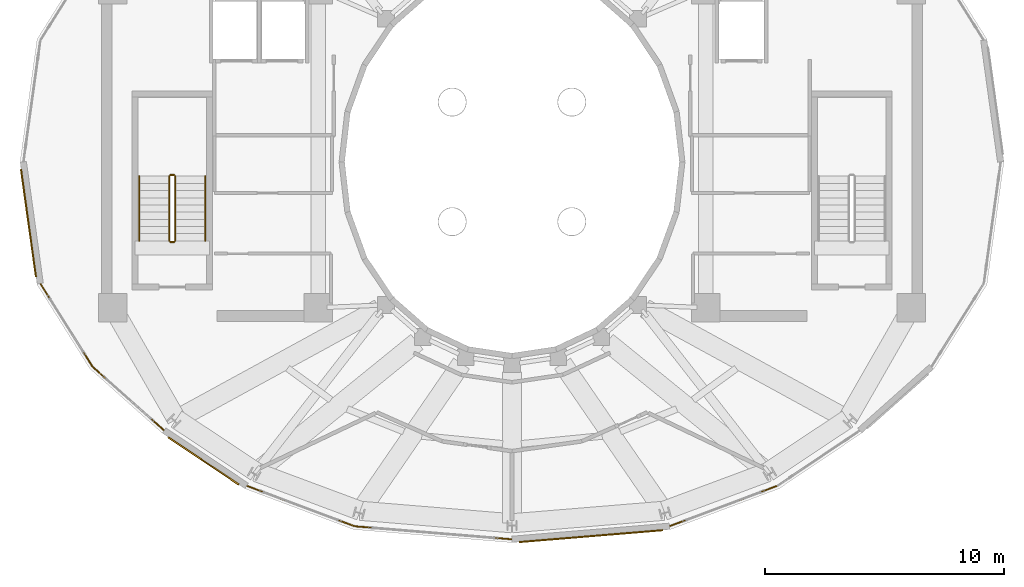
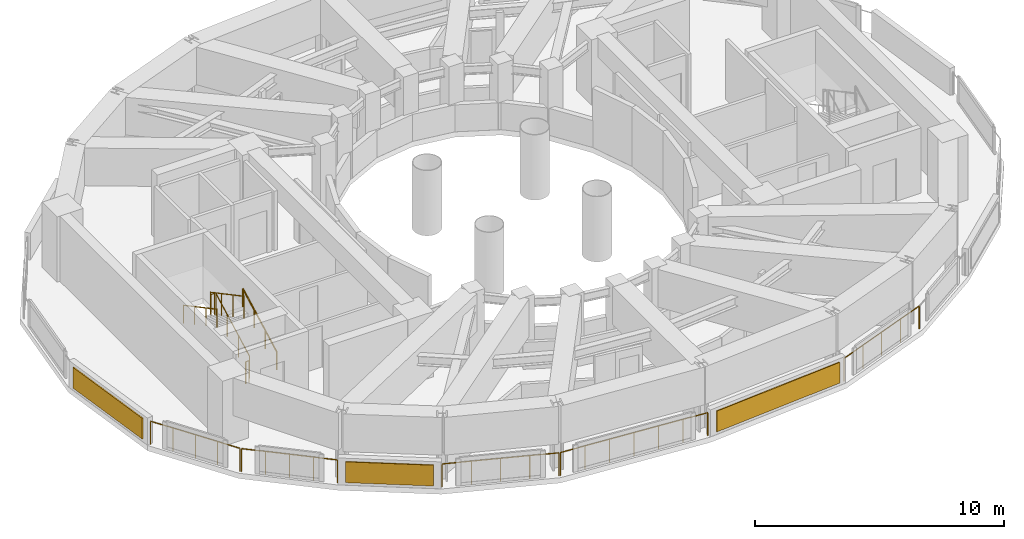
# One storey, part 15 of 17: 11 railings, 3 shading devices.
"""IFC4 building model written with IfcOpenShell, lengths in metres."""

from ifc_helpers import new_model, si_unit, direction, frame, origin, origin_2d, place, context, subcontext, project, spatial, rectangle, circle, extrude, material, layer, layer_set, type_object, element, save


model = new_model("IFC4")

# Units and contexts
model_context = context("Model", 3, precision=1e-05, world=origin(), true_north=direction((0.0, 1.0)))
body_context = subcontext(model_context, "Body", "Model", "MODEL_VIEW")
ifc_project = project(units=[si_unit("LENGTHUNIT", "METRE"), si_unit("AREAUNIT", "SQUARE_METRE"), si_unit("VOLUMEUNIT", "CUBIC_METRE"), si_unit("PLANEANGLEUNIT", "RADIAN"), si_unit("MASSUNIT", "GRAM", prefix="KILO")], contexts=[model_context])

# Site, building, storey
site_placement = place(None, origin())
site = spatial("IfcSite", under=ifc_project, at=site_placement, CompositionType="ELEMENT")
building_placement = place(site_placement, origin())
building = spatial("IfcBuilding", under=site, at=building_placement, Name="Solvane Sanctuary Tower", CompositionType="ELEMENT")
storey_placement = place(building_placement, frame((0.0, 0.0, 270.0)))
storey = spatial("IfcBuildingStorey", under=building, at=storey_placement, Name="L82", CompositionType="ELEMENT", Elevation=270.0)

# Railings
ifc_material_1 = material(Name="Architectural Stainless Steel 316", Category="steel")
railing_type_1 = type_object("IfcRailingType", Name="Railing GR-BALC-1150", PredefinedType="BALUSTRADE", material=ifc_material_1)
railing_1_placement = place(storey_placement, frame((12.2822265625, 17.88818359375, 0.0)))
element("IfcRailing", 1, at=railing_1_placement, inside=storey, type_object=railing_type_1, Name="L82 Crown Curtain-Wall Sill Guard 13", PredefinedType="BALUSTRADE", context=body_context, shape_type="SweptSolid", body=[
    extrude(circle(Radius=0.02392578125, at=origin_2d()), frame((0.0, 0.0, 1.1259765625), z_axis=(0.532230689214, -0.846599370103, 0.0), x_axis=(0.846599370103, 0.532230689214, 0.0)), (0.0, 0.0, 1.0), 4.057861328125),
    extrude(circle(Radius=0.02099609375, at=origin_2d()), origin(), (0.0, 0.0, 1.0), 1.101806640625),
    extrude(circle(Radius=0.02099609375, at=origin_2d()), frame((0.5400390625, -0.85888671875, 0.0)), (0.0, 0.0, 1.0), 1.101806640625),
    extrude(circle(Radius=0.02099609375, at=origin_2d()), frame((1.079833984375, -1.7177734375, 0.0)), (0.0, 0.0, 1.0), 1.101806640625),
    extrude(circle(Radius=0.02099609375, at=origin_2d()), frame((1.61962890625, -2.576416015625, 0.0)), (0.0, 0.0, 1.0), 1.101806640625),
    extrude(circle(Radius=0.02099609375, at=origin_2d()), frame((2.15966796875, -3.435302734375, 0.0)), (0.0, 0.0, 1.0), 1.101806640625),
])
railing_2_placement = place(storey_placement, frame((14.480224609375, 14.40771484375, 0.0)))
element("IfcRailing", 2, at=railing_2_placement, inside=storey, type_object=railing_type_1, Name="L82 Crown Curtain-Wall Sill Guard 14", PredefinedType="BALUSTRADE", context=body_context, shape_type="SweptSolid", body=[
    extrude(circle(Radius=0.02392578125, at=origin_2d()), frame((0.0, 0.0, 1.1259765625), z_axis=(0.747266004732, -0.664525032013, 0.0), x_axis=(0.664525032013, 0.747266004732, 0.0)), (0.0, 0.0, 1.0), 3.947998046875),
    extrude(circle(Radius=0.02099609375, at=origin_2d()), origin(), (0.0, 0.0, 1.0), 1.101806640625),
    extrude(circle(Radius=0.02099609375, at=origin_2d()), frame((0.737548828125, -0.65576171875, 0.0)), (0.0, 0.0, 1.0), 1.101806640625),
    extrude(circle(Radius=0.02099609375, at=origin_2d()), frame((1.47509765625, -1.311767578125, 0.0)), (0.0, 0.0, 1.0), 1.101806640625),
    extrude(circle(Radius=0.02099609375, at=origin_2d()), frame((2.212646484375, -1.9677734375, 0.0)), (0.0, 0.0, 1.0), 1.101806640625),
    extrude(circle(Radius=0.02099609375, at=origin_2d()), frame((2.9501953125, -2.62353515625, 0.0)), (0.0, 0.0, 1.0), 1.101806640625),
])
railing_3_placement = place(storey_placement, frame((20.92919921875, 9.440673828125, 0.0)))
element("IfcRailing", 3, at=railing_3_placement, inside=storey, type_object=railing_type_1, Name="L82 Crown Curtain-Wall Sill Guard 16", PredefinedType="BALUSTRADE", context=body_context, shape_type="SweptSolid", body=[
    extrude(circle(Radius=0.02392578125, at=origin_2d()), frame((0.0, 0.0, 1.1259765625), z_axis=(0.936318639039, -0.351151543052, 0.0), x_axis=(0.351151543052, 0.936318639039, 0.0)), (0.0, 0.0, 1.0), 4.760498046875),
    extrude(circle(Radius=0.02099609375, at=origin_2d()), origin(), (0.0, 0.0, 1.0), 1.101806640625),
    extrude(circle(Radius=0.02099609375, at=origin_2d()), frame((1.1142578125, -0.41796875, 0.0)), (0.0, 0.0, 1.0), 1.101806640625),
    extrude(circle(Radius=0.02099609375, at=origin_2d()), frame((2.228515625, -0.8359375, 0.0)), (0.0, 0.0, 1.0), 1.101806640625),
    extrude(circle(Radius=0.02099609375, at=origin_2d()), frame((3.343017578125, -1.253662109375, 0.0)), (0.0, 0.0, 1.0), 1.101806640625),
    extrude(circle(Radius=0.02099609375, at=origin_2d()), frame((4.457275390625, -1.671630859375, 0.0)), (0.0, 0.0, 1.0), 1.101806640625),
])
railing_4_placement = place(storey_placement, frame((25.4443359375, 7.756103515625, 0.0)))
element("IfcRailing", 4, at=railing_4_placement, inside=storey, type_object=railing_type_1, Name="L82 Crown Curtain-Wall Sill Guard 17", PredefinedType="BALUSTRADE", context=body_context, shape_type="SweptSolid", body=[
    extrude(circle(Radius=0.02392578125, at=origin_2d()), frame((0.0, 0.0, 1.1259765625), z_axis=(0.996587287525, -0.082545613714, 0.0), x_axis=(0.082545613714, 0.996587287525, 0.0)), (0.0, 0.0, 1.0), 6.54833984375),
    extrude(circle(Radius=0.02099609375, at=origin_2d()), origin(), (0.0, 0.0, 1.0), 1.101806640625),
    extrude(circle(Radius=0.02099609375, at=origin_2d()), frame((1.087646484375, -0.090087890625, 0.0)), (0.0, 0.0, 1.0), 1.101806640625),
    extrude(circle(Radius=0.02099609375, at=origin_2d()), frame((2.17529296875, -0.18017578125, 0.0)), (0.0, 0.0, 1.0), 1.101806640625),
    extrude(circle(Radius=0.02099609375, at=origin_2d()), frame((3.262939453125, -0.270263671875, 0.0)), (0.0, 0.0, 1.0), 1.101806640625),
    extrude(circle(Radius=0.02099609375, at=origin_2d()), frame((4.3505859375, -0.3603515625, 0.0)), (0.0, 0.0, 1.0), 1.101806640625),
    extrude(circle(Radius=0.02099609375, at=origin_2d()), frame((5.438232421875, -0.450439453125, 0.0)), (0.0, 0.0, 1.0), 1.101806640625),
    extrude(circle(Radius=0.02099609375, at=origin_2d()), frame((6.52587890625, -0.54052734375, 0.0)), (0.0, 0.0, 1.0), 1.101806640625),
])
railing_5_placement = place(storey_placement, frame((38.613525390625, 7.76904296875, 0.0)))
element("IfcRailing", 5, at=railing_5_placement, inside=storey, type_object=railing_type_1, Name="L82 Crown Curtain-Wall Sill Guard 19", PredefinedType="BALUSTRADE", context=body_context, shape_type="SweptSolid", body=[
    extrude(circle(Radius=0.02392578125, at=origin_2d()), frame((0.0, 0.0, 1.1259765625), z_axis=(0.936318639039, 0.351151543052, 0.0), x_axis=(-0.351151543052, 0.936318639039, 0.0)), (0.0, 0.0, 1.0), 4.760498046875),
    extrude(circle(Radius=0.02099609375, at=origin_2d()), origin(), (0.0, 0.0, 1.0), 1.101806640625),
    extrude(circle(Radius=0.02099609375, at=origin_2d()), frame((1.1142578125, 0.41796875, 0.0)), (0.0, 0.0, 1.0), 1.101806640625),
    extrude(circle(Radius=0.02099609375, at=origin_2d()), frame((2.228515625, 0.8359375, 0.0)), (0.0, 0.0, 1.0), 1.101806640625),
    extrude(circle(Radius=0.02099609375, at=origin_2d()), frame((3.343017578125, 1.253662109375, 0.0)), (0.0, 0.0, 1.0), 1.101806640625),
    extrude(circle(Radius=0.02099609375, at=origin_2d()), frame((4.457275390625, 1.671630859375, 0.0)), (0.0, 0.0, 1.0), 1.101806640625),
])
railing_6_placement = place(storey_placement, frame((17.919921875, 19.699951171875, 0.159912109375)))
element("IfcRailing", 6, at=railing_6_placement, inside=storey, type_object=railing_type_1, Name="L82 ST-1 stair guard 1", PredefinedType="BALUSTRADE", context=body_context, shape_type="SweptSolid", body=[
    extrude(circle(Radius=0.02392578125, at=origin_2d()), frame((0.0, 0.0, 1.076171875), z_axis=(0.0, 0.882324228566, 0.470642067484), x_axis=(-1.0, 0.0, 0.0)), (0.0, 0.0, 1.0), 3.06005859375),
    extrude(circle(Radius=0.02099609375, at=origin_2d()), origin(), (0.0, 0.0, 1.0), 1.052001953125),
    extrude(circle(Radius=0.02099609375, at=origin_2d()), frame((0.0, 0.89990234375, 0.47998046875)), (0.0, 0.0, 1.0), 1.052001953125),
    extrude(circle(Radius=0.02099609375, at=origin_2d()), frame((0.0, 1.800048828125, 0.960205078125)), (0.0, 0.0, 1.0), 1.052001953125),
    extrude(circle(Radius=0.02099609375, at=origin_2d()), frame((0.0, 2.699951171875, 1.440185546875)), (0.0, 0.0, 1.0), 1.052001953125),
])
railing_7_placement = place(storey_placement, frame((17.8701171875, 22.449951171875, 1.60009765625)))
element("IfcRailing", 7, at=railing_7_placement, inside=storey, type_object=railing_type_1, Name="L82 ST-1 stair guard 2", PredefinedType="BALUSTRADE", context=body_context, shape_type="SweptSolid", body=[
    extrude(circle(Radius=0.02392578125, at=origin_2d()), frame((0.0, 0.0, 1.076171875), z_axis=(-1.0, 0.0, 0.0), x_axis=(0.0, -1.0, 0.0)), (0.0, 0.0, 1.0), 0.16015625),
    extrude(circle(Radius=0.02099609375, at=origin_2d()), origin(), (0.0, 0.0, 1.0), 1.052001953125),
    extrude(circle(Radius=0.02099609375, at=origin_2d()), frame((-0.16015625, 0.0, 0.0)), (0.0, 0.0, 1.0), 1.052001953125),
])
railing_8_placement = place(storey_placement, frame((17.659912109375, 22.39990234375, 1.760009765625)))
element("IfcRailing", 8, at=railing_8_placement, inside=storey, type_object=railing_type_1, Name="L82 ST-1 stair guard 3", PredefinedType="BALUSTRADE", context=body_context, shape_type="SweptSolid", body=[
    extrude(circle(Radius=0.02392578125, at=origin_2d()), frame((0.0, 0.0, 1.076171875), z_axis=(0.0, -0.882357358376, 0.470579952952), x_axis=(1.0, 0.0, 0.0)), (0.0, 0.0, 1.0), 3.059814453125),
    extrude(circle(Radius=0.02099609375, at=origin_2d()), origin(), (0.0, 0.0, 1.0), 1.052001953125),
    extrude(circle(Radius=0.02099609375, at=origin_2d()), frame((0.0, -0.89990234375, 0.47998046875)), (0.0, 0.0, 1.0), 1.052001953125),
    extrude(circle(Radius=0.02099609375, at=origin_2d()), frame((0.0, -1.800048828125, 0.9599609375)), (0.0, 0.0, 1.0), 1.052001953125),
    extrude(circle(Radius=0.02099609375, at=origin_2d()), frame((0.0, -2.699951171875, 1.43994140625)), (0.0, 0.0, 1.0), 1.052001953125),
])
railing_9_placement = place(storey_placement, frame((17.8701171875, 19.64990234375, 0.0)))
element("IfcRailing", 9, at=railing_9_placement, inside=storey, type_object=railing_type_1, Name="L82 ST-1 stair guard 4", PredefinedType="BALUSTRADE", context=body_context, shape_type="SweptSolid", body=[
    extrude(circle(Radius=0.02392578125, at=origin_2d()), frame((0.0, 0.0, 1.076171875), z_axis=(-1.0, 0.0, 0.0), x_axis=(0.0, -1.0, 0.0)), (0.0, 0.0, 1.0), 0.16015625),
    extrude(circle(Radius=0.02099609375, at=origin_2d()), origin(), (0.0, 0.0, 1.0), 1.052001953125),
    extrude(circle(Radius=0.02099609375, at=origin_2d()), frame((-0.16015625, 0.0, 0.0)), (0.0, 0.0, 1.0), 1.052001953125),
])
railing_type_2 = type_object("IfcRailingType", Name="Railing HR-STAIR-920", PredefinedType="HANDRAIL", material=ifc_material_1)
railing_10_placement = place(storey_placement, frame((19.169921875, 19.699951171875, 0.159912109375)))
element("IfcRailing", 10, at=railing_10_placement, inside=storey, type_object=railing_type_2, Name="L82 ST-1 stair handrail 1", PredefinedType="HANDRAIL", context=body_context, shape_type="SweptSolid", body=[
    extrude(circle(Radius=0.02392578125, at=origin_2d()), frame((0.0, 0.0, 0.8759765625), z_axis=(0.0, 0.882324228566, 0.470642067484), x_axis=(-1.0, 0.0, 0.0)), (0.0, 0.0, 1.0), 3.06005859375),
    extrude(circle(Radius=0.02099609375, at=origin_2d()), origin(), (0.0, 0.0, 1.0), 0.851806640625),
    extrude(circle(Radius=0.02099609375, at=origin_2d()), frame((0.0, 0.89990234375, 0.47998046875)), (0.0, 0.0, 1.0), 0.851806640625),
    extrude(circle(Radius=0.02099609375, at=origin_2d()), frame((0.0, 1.800048828125, 0.960205078125)), (0.0, 0.0, 1.0), 0.851806640625),
    extrude(circle(Radius=0.02099609375, at=origin_2d()), frame((0.0, 2.699951171875, 1.440185546875)), (0.0, 0.0, 1.0), 0.851806640625),
])
railing_11_placement = place(storey_placement, frame((16.409912109375, 22.39990234375, 1.760009765625)))
element("IfcRailing", 11, at=railing_11_placement, inside=storey, type_object=railing_type_2, Name="L82 ST-1 stair handrail 2", PredefinedType="HANDRAIL", context=body_context, shape_type="SweptSolid", body=[
    extrude(circle(Radius=0.02392578125, at=origin_2d()), frame((0.0, 0.0, 0.8759765625), z_axis=(0.0, -0.882357358376, 0.470579952952), x_axis=(1.0, 0.0, 0.0)), (0.0, 0.0, 1.0), 3.059814453125),
    extrude(circle(Radius=0.02099609375, at=origin_2d()), origin(), (0.0, 0.0, 1.0), 0.851806640625),
    extrude(circle(Radius=0.02099609375, at=origin_2d()), frame((0.0, -0.89990234375, 0.47998046875)), (0.0, 0.0, 1.0), 0.851806640625),
    extrude(circle(Radius=0.02099609375, at=origin_2d()), frame((0.0, -1.800048828125, 0.9599609375)), (0.0, 0.0, 1.0), 0.851806640625),
    extrude(circle(Radius=0.02099609375, at=origin_2d()), frame((0.0, -2.699951171875, 1.43994140625)), (0.0, 0.0, 1.0), 0.851806640625),
])

# Shading devices
ifc_material_2 = material(Name="Anodised Aluminium 6063-T6", Category="aluminium")
ifc_layer = layer(ifc_material_2, 0.06005859375, Name="Anodised Aluminium 6063-T6")
ifc_layer_set = layer_set([ifc_layer], Name="Anodised Aluminium 6063-T6")
shading_device_type = type_object("IfcShadingDeviceType", Name="Shading SHD-LOUVRE", PredefinedType="JALOUSIE", material=ifc_layer_set)
shading_device_1_placement = place(storey_placement, frame((11.7744140625, 20.4375, 0.14990234375), z_axis=(0.0, 0.0, 1.0), x_axis=(0.137522340044, -0.990498665314, 0.0)))
element("IfcShadingDevice", 12, at=shading_device_1_placement, inside=storey, type_object=shading_device_type, Name="L82 Crown Storm Louvre Panel 12", PredefinedType="JALOUSIE", context=body_context, shape_type="SweptSolid", body=[
    extrude(rectangle(XDim=4.53515625, YDim=0.06005859375, at=origin_2d()), origin(), (0.0, 0.0, 1.0), 1.02001953125),
])
shading_device_2_placement = place(storey_placement, frame((19.09912109375, 10.491455078125, 0.14990234375), z_axis=(0.0, 0.0, 1.0), x_axis=(0.830438413126, -0.557110439683, 0.0)))
element("IfcShadingDevice", 13, at=shading_device_2_placement, inside=storey, type_object=shading_device_type, Name="L82 Crown Storm Louvre Panel 15", PredefinedType="JALOUSIE", context=body_context, shape_type="SweptSolid", body=[
    extrude(rectangle(XDim=3.552001953125, YDim=0.06005859375, at=origin_2d()), origin(), (0.0, 0.0, 1.0), 1.02001953125),
])
shading_device_3_placement = place(storey_placement, frame((35.30419921875, 7.34619140625, 0.14990234375), z_axis=(0.0, 0.0, 1.0), x_axis=(0.996586859333, 0.082550783184, 0.0)))
element("IfcShadingDevice", 14, at=shading_device_3_placement, inside=storey, type_object=shading_device_type, Name="L82 Crown Storm Louvre Panel 18", PredefinedType="JALOUSIE", context=body_context, shape_type="SweptSolid", body=[
    extrude(rectangle(XDim=6.008056640625, YDim=0.06005859375, at=origin_2d()), origin(), (0.0, 0.0, 1.0), 1.02001953125),
])

save(model, "model.ifc")
